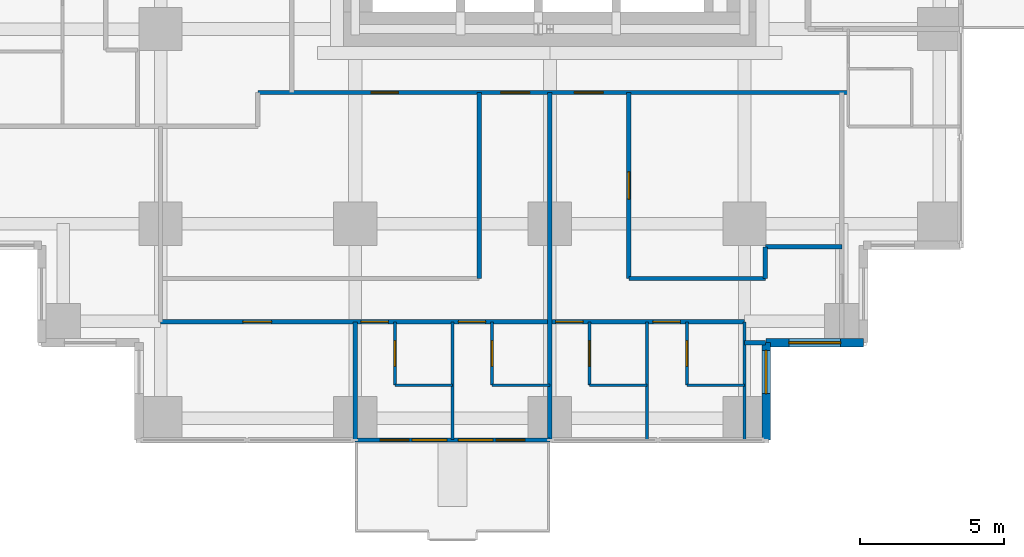
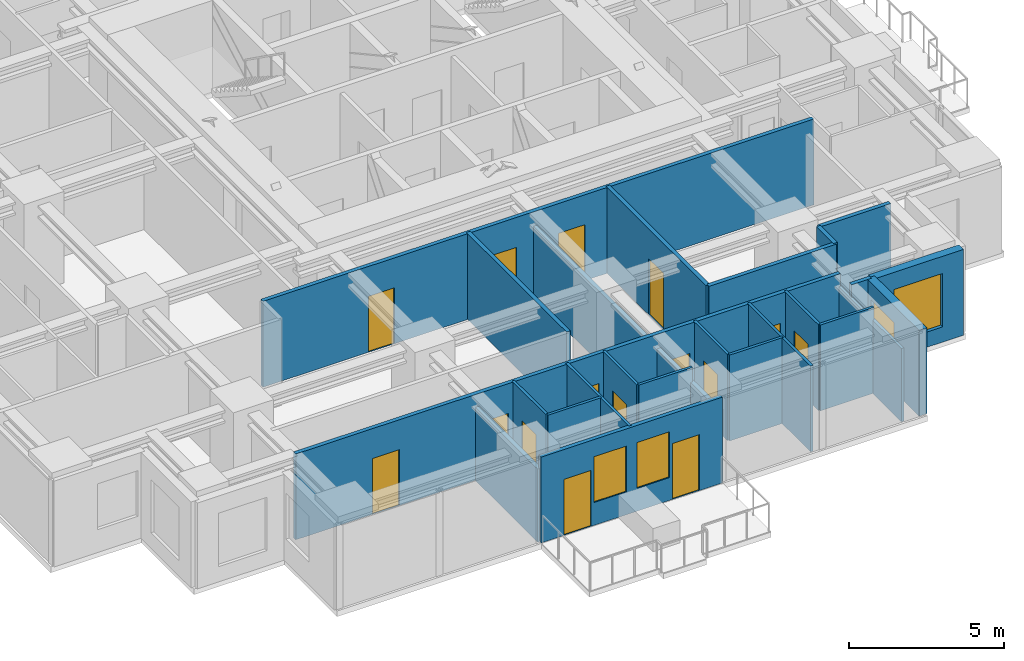
# One storey, part 5 of 10: 24 walls, 15 doors, 4 windows, 19 openings.
"""IFC4 building model written with IfcOpenShell, lengths in metres."""

from ifc_helpers import new_model, si_unit, direction, frame, frame_2d, origin, place, context, subcontext, project, spatial, rectangle, extrude, material, layer, layer_set, type_object, element, fill, save


model = new_model("IFC4")

# Units and contexts
model_context = context("Model", 3, precision=1e-05, world=origin(), true_north=direction((0.0, 1.0)))
body_context = subcontext(model_context, "Body", "Model", "MODEL_VIEW")
ifc_project = project(units=[si_unit("LENGTHUNIT", "METRE"), si_unit("AREAUNIT", "SQUARE_METRE"), si_unit("VOLUMEUNIT", "CUBIC_METRE"), si_unit("PLANEANGLEUNIT", "RADIAN"), si_unit("MASSUNIT", "GRAM", prefix="KILO")], contexts=[model_context])

# Site, building, storey
site_placement = place(None, origin())
site = spatial("IfcSite", under=ifc_project, at=site_placement, CompositionType="ELEMENT")
building_placement = place(site_placement, origin())
building = spatial("IfcBuilding", under=site, at=building_placement, Name="Nyansa Garden Tower", CompositionType="ELEMENT")
storey_placement = place(building_placement, frame((0.0, 0.0, 163.800048828125)))
storey = spatial("IfcBuildingStorey", under=building, at=storey_placement, Name="L44", CompositionType="ELEMENT", Elevation=163.800048828125)

# Wall, openings, doors, windows
ifc_material_1 = material(Name="Black aluminium framed glazed screen", Category="aluminium")
ifc_layer_1 = layer(ifc_material_1, 0.14990234375)
ifc_layer_set_1 = layer_set([ifc_layer_1], Name="Balcony screen wall BW150")
wall_type_1 = type_object("IfcWallType", Name="Balcony screen wall BW150", PredefinedType="SOLIDWALL", material=ifc_layer_set_1)
wall_1_placement = place(storey_placement, frame((20.25, -0.75, 0.0), z_axis=(0.0, 0.0, 1.0), x_axis=(-1.0, 0.0, 0.0)))
wall_1 = element("IfcWall", 1, at=wall_1_placement, inside=storey, type_object=wall_type_1, Name="Glazed screen wall L44 S", PredefinedType="SOLIDWALL", context=body_context, shape_type="SweptSolid", body=[
    extrude(rectangle(XDim=6.75, YDim=0.14990234375, at=frame_2d((3.375, 0.0))), origin(), (0.0, 0.0, 1.0), 3.375),
])
opening_1_placement = place(wall_1_placement, frame((0.862548828125, 0.0, 0.0)))
opening_1 = element("IfcOpeningElement", 2, at=opening_1_placement, cuts=wall_1, Name="Opening D20", PredefinedType="OPENING", context=body_context, shape_type="SweptSolid", body=[
    extrude(rectangle(XDim=1.0, YDim=2.199951171875, at=frame_2d((0.5, 1.10009765625))), frame((0.0, 0.0849609375, 0.0), z_axis=(0.0, -1.0, 0.0), x_axis=(1.0, 0.0, 0.0)), (0.0, 0.0, 1.0), 0.169921875),
])
opening_2_placement = place(wall_1_placement, frame((1.97509765625, 0.0, 0.89990234375)))
opening_2 = element("IfcOpeningElement", 3, at=opening_2_placement, cuts=wall_1, Name="Opening W6", PredefinedType="OPENING", context=body_context, shape_type="SweptSolid", body=[
    extrude(rectangle(XDim=1.199951171875, YDim=1.800048828125, at=frame_2d((0.60009765625, 0.89990234375))), frame((0.0, 0.0849609375, 0.0), z_axis=(0.0, -1.0, 0.0), x_axis=(1.0, 0.0, 0.0)), (0.0, 0.0, 1.0), 0.169921875),
])
opening_3_placement = place(wall_1_placement, frame((4.887451171875, 0.0, 0.0)))
opening_3 = element("IfcOpeningElement", 4, at=opening_3_placement, cuts=wall_1, Name="Opening D20", PredefinedType="OPENING", context=body_context, shape_type="SweptSolid", body=[
    extrude(rectangle(XDim=1.0, YDim=2.199951171875, at=frame_2d((0.5, 1.10009765625))), frame((0.0, 0.0849609375, 0.0), z_axis=(0.0, -1.0, 0.0), x_axis=(1.0, 0.0, 0.0)), (0.0, 0.0, 1.0), 0.169921875),
])
opening_4_placement = place(wall_1_placement, frame((3.574951171875, 0.0, 0.89990234375)))
opening_4 = element("IfcOpeningElement", 5, at=opening_4_placement, cuts=wall_1, Name="Opening W6", PredefinedType="OPENING", context=body_context, shape_type="SweptSolid", body=[
    extrude(rectangle(XDim=1.199951171875, YDim=1.800048828125, at=frame_2d((0.60009765625, 0.89990234375))), frame((0.0, 0.0849609375, 0.0), z_axis=(0.0, -1.0, 0.0), x_axis=(1.0, 0.0, 0.0)), (0.0, 0.0, 1.0), 0.169921875),
])
ifc_material_2 = material(Name="Black aluminium framed glazed door", Category="aluminium")
door_type_1 = type_object("IfcDoorType", Name="Balcony door D20 1000x2200", OperationType="NOTDEFINED", PredefinedType="DOOR", material=ifc_material_2)
door_1_placement = place(opening_1_placement, origin())
door_1 = element("IfcDoor", 6, at=door_1_placement, inside=storey, type_object=door_type_1, Name="Balcony door L44", OperationType="SINGLE_SWING_LEFT", OverallHeight=2.199951171875, OverallWidth=1.0, PredefinedType="DOOR", context=body_context, shape_type="SweptSolid", body=[
    extrude(rectangle(XDim=1.0, YDim=2.199951171875, at=frame_2d((0.5, 1.10009765625))), frame((0.0, 0.02490234375, 0.0), z_axis=(0.0, -1.0, 0.0), x_axis=(1.0, 0.0, 0.0)), (0.0, 0.0, 1.0), 0.050048828125),
])
fill(opening_1, door_1)
door_2_placement = place(opening_3_placement, origin())
door_2 = element("IfcDoor", 7, at=door_2_placement, inside=storey, type_object=door_type_1, Name="Balcony door L44", OperationType="SINGLE_SWING_RIGHT", OverallHeight=2.199951171875, OverallWidth=1.0, PredefinedType="DOOR", context=body_context, shape_type="SweptSolid", body=[
    extrude(rectangle(XDim=1.0, YDim=2.199951171875, at=frame_2d((0.5, 1.10009765625))), frame((0.0, 0.02490234375, 0.0), z_axis=(0.0, -1.0, 0.0), x_axis=(1.0, 0.0, 0.0)), (0.0, 0.0, 1.0), 0.050048828125),
])
fill(opening_3, door_2)
ifc_material_3 = material(Name="Black aluminium frame, dark tinted double glazing", Category="aluminium")
window_type_1 = type_object("IfcWindowType", Name="Balcony window W6 1200x1800", PartitioningType="SINGLE_PANEL", PredefinedType="WINDOW", material=ifc_material_3)
window_1_placement = place(opening_2_placement, origin())
window_1 = element("IfcWindow", 8, at=window_1_placement, inside=storey, type_object=window_type_1, Name="Window L44", OverallHeight=1.800048828125, OverallWidth=1.199951171875, PartitioningType="SINGLE_PANEL", PredefinedType="WINDOW", context=body_context, shape_type="SweptSolid", body=[
    extrude(rectangle(XDim=1.199951171875, YDim=1.800048828125, at=frame_2d((0.60009765625, 0.89990234375))), frame((0.0, 0.030029296875, 0.0), z_axis=(0.0, -1.0, 0.0), x_axis=(1.0, 0.0, 0.0)), (0.0, 0.0, 1.0), 0.06005859375),
])
fill(opening_2, window_1)
window_2_placement = place(opening_4_placement, origin())
window_2 = element("IfcWindow", 9, at=window_2_placement, inside=storey, type_object=window_type_1, Name="Window L44", OverallHeight=1.800048828125, OverallWidth=1.199951171875, PartitioningType="SINGLE_PANEL", PredefinedType="WINDOW", context=body_context, shape_type="SweptSolid", body=[
    extrude(rectangle(XDim=1.199951171875, YDim=1.800048828125, at=frame_2d((0.60009765625, 0.89990234375))), frame((0.0, 0.030029296875, 0.0), z_axis=(0.0, -1.0, 0.0), x_axis=(1.0, 0.0, 0.0)), (0.0, 0.0, 1.0), 0.06005859375),
])
fill(opening_4, window_2)

# Wall, openings, doors
ifc_material_4 = material(Name="Blockwork, plastered both sides", Category="masonry")
ifc_layer_2 = layer(ifc_material_4, 0.14990234375)
ifc_layer_set_2 = layer_set([ifc_layer_2], Name="Partition PW150")
wall_type_2 = type_object("IfcWallType", Name="Partition PW150", PredefinedType="PARTITIONING", material=ifc_layer_set_2)
wall_2_placement = place(storey_placement, frame((6.75, 3.35009765625, 0.0), z_axis=(0.0, 0.0, 1.0), x_axis=(1.0, 0.0, 0.0)))
wall_2 = element("IfcWall", 10, at=wall_2_placement, inside=storey, type_object=wall_type_2, Name="Partition", PredefinedType="PARTITIONING", context=body_context, shape_type="SweptSolid", body=[
    extrude(rectangle(XDim=20.25, YDim=0.14990234375, at=frame_2d((10.125, 0.0))), origin(), (0.0, 0.0, 1.0), 3.375),
])
opening_5_placement = place(wall_2_placement, frame((2.85009765625, 0.0, 0.0)))
opening_5 = element("IfcOpeningElement", 11, at=opening_5_placement, cuts=wall_2, Name="Opening D03", PredefinedType="OPENING", context=body_context, shape_type="SweptSolid", body=[
    extrude(rectangle(XDim=1.0, YDim=2.199951171875, at=frame_2d((0.5, 1.10009765625))), frame((0.0, 0.0849609375, 0.0), z_axis=(0.0, -1.0, 0.0), x_axis=(1.0, 0.0, 0.0)), (0.0, 0.0, 1.0), 0.169921875),
])
opening_6_placement = place(wall_2_placement, frame((6.949951171875, 0.0, 0.0)))
opening_6 = element("IfcOpeningElement", 12, at=opening_6_placement, cuts=wall_2, Name="Opening D01", PredefinedType="OPENING", context=body_context, shape_type="SweptSolid", body=[
    extrude(rectangle(XDim=0.949951171875, YDim=2.199951171875, at=frame_2d((0.47509765625, 1.10009765625))), frame((0.0, 0.0849609375, 0.0), z_axis=(0.0, -1.0, 0.0), x_axis=(1.0, 0.0, 0.0)), (0.0, 0.0, 1.0), 0.169921875),
])
opening_7_placement = place(wall_2_placement, frame((10.324951171875, 0.0, 0.0)))
opening_7 = element("IfcOpeningElement", 13, at=opening_7_placement, cuts=wall_2, Name="Opening D01", PredefinedType="OPENING", context=body_context, shape_type="SweptSolid", body=[
    extrude(rectangle(XDim=0.949951171875, YDim=2.199951171875, at=frame_2d((0.47509765625, 1.10009765625))), frame((0.0, 0.0849609375, 0.0), z_axis=(0.0, -1.0, 0.0), x_axis=(1.0, 0.0, 0.0)), (0.0, 0.0, 1.0), 0.169921875),
])
opening_8_placement = place(wall_2_placement, frame((13.699951171875, 0.0, 0.0)))
opening_8 = element("IfcOpeningElement", 14, at=opening_8_placement, cuts=wall_2, Name="Opening D14", PredefinedType="OPENING", context=body_context, shape_type="SweptSolid", body=[
    extrude(rectangle(XDim=0.949951171875, YDim=2.199951171875, at=frame_2d((0.47509765625, 1.10009765625))), frame((0.0, 0.0849609375, 0.0), z_axis=(0.0, -1.0, 0.0), x_axis=(1.0, 0.0, 0.0)), (0.0, 0.0, 1.0), 0.169921875),
])
opening_9_placement = place(wall_2_placement, frame((17.074951171875, 0.0, 0.0)))
opening_9 = element("IfcOpeningElement", 15, at=opening_9_placement, cuts=wall_2, Name="Opening D14", PredefinedType="OPENING", context=body_context, shape_type="SweptSolid", body=[
    extrude(rectangle(XDim=0.949951171875, YDim=2.199951171875, at=frame_2d((0.47509765625, 1.10009765625))), frame((0.0, 0.0849609375, 0.0), z_axis=(0.0, -1.0, 0.0), x_axis=(1.0, 0.0, 0.0)), (0.0, 0.0, 1.0), 0.169921875),
])
ifc_material_5 = material(Name="Timber flush door, 30 minute fire resisting", Category="wood")
door_type_2 = type_object("IfcDoorType", Name="Bedroom door D01 950x2200", OperationType="SINGLE_SWING_LEFT", PredefinedType="DOOR", material=ifc_material_5)
door_3_placement = place(opening_6_placement, origin())
door_3 = element("IfcDoor", 16, at=door_3_placement, inside=storey, type_object=door_type_2, Name="Door L44-018", OperationType="SINGLE_SWING_LEFT", OverallHeight=2.199951171875, OverallWidth=0.949951171875, PredefinedType="DOOR", context=body_context, shape_type="SweptSolid", body=[
    extrude(rectangle(XDim=0.949951171875, YDim=2.199951171875, at=frame_2d((0.47509765625, 1.10009765625))), frame((0.0, 0.02490234375, 0.0), z_axis=(0.0, -1.0, 0.0), x_axis=(1.0, 0.0, 0.0)), (0.0, 0.0, 1.0), 0.050048828125),
])
fill(opening_6, door_3)
door_4_placement = place(opening_7_placement, origin())
door_4 = element("IfcDoor", 17, at=door_4_placement, inside=storey, type_object=door_type_2, Name="Door L44-020", OperationType="SINGLE_SWING_LEFT", OverallHeight=2.199951171875, OverallWidth=0.949951171875, PredefinedType="DOOR", context=body_context, shape_type="SweptSolid", body=[
    extrude(rectangle(XDim=0.949951171875, YDim=2.199951171875, at=frame_2d((0.47509765625, 1.10009765625))), frame((0.0, 0.02490234375, 0.0), z_axis=(0.0, -1.0, 0.0), x_axis=(1.0, 0.0, 0.0)), (0.0, 0.0, 1.0), 0.050048828125),
])
fill(opening_7, door_4)
ifc_material_6 = material(Name="Timber flush door, 60 minute fire resisting", Category="wood")
door_type_3 = type_object("IfcDoorType", Name="Cluster entrance door D03 1000x2200", OperationType="SINGLE_SWING_LEFT", PredefinedType="DOOR", material=ifc_material_6)
door_5_placement = place(opening_5_placement, origin())
door_5 = element("IfcDoor", 18, at=door_5_placement, inside=storey, type_object=door_type_3, Name="Door L44-017", OperationType="SINGLE_SWING_LEFT", OverallHeight=2.199951171875, OverallWidth=1.0, PredefinedType="DOOR", context=body_context, shape_type="SweptSolid", body=[
    extrude(rectangle(XDim=1.0, YDim=2.199951171875, at=frame_2d((0.5, 1.10009765625))), frame((0.0, 0.02490234375, 0.0), z_axis=(0.0, -1.0, 0.0), x_axis=(1.0, 0.0, 0.0)), (0.0, 0.0, 1.0), 0.050048828125),
])
fill(opening_5, door_5)
ifc_material_7 = material(Name="Timber flush door, 60 minute fire resisting, self-closing", Category="wood")
door_type_4 = type_object("IfcDoorType", Name="Studio entrance door D14 950x2200", OperationType="SINGLE_SWING_LEFT", PredefinedType="DOOR", material=ifc_material_7)
door_6_placement = place(opening_8_placement, origin())
door_6 = element("IfcDoor", 19, at=door_6_placement, inside=storey, type_object=door_type_4, Name="Door L44-023", OperationType="SINGLE_SWING_LEFT", OverallHeight=2.199951171875, OverallWidth=0.949951171875, PredefinedType="DOOR", context=body_context, shape_type="SweptSolid", body=[
    extrude(rectangle(XDim=0.949951171875, YDim=2.199951171875, at=frame_2d((0.47509765625, 1.10009765625))), frame((0.0, 0.02490234375, 0.0), z_axis=(0.0, -1.0, 0.0), x_axis=(1.0, 0.0, 0.0)), (0.0, 0.0, 1.0), 0.050048828125),
])
fill(opening_8, door_6)
door_7_placement = place(opening_9_placement, origin())
door_7 = element("IfcDoor", 20, at=door_7_placement, inside=storey, type_object=door_type_4, Name="Door L44-025", OperationType="SINGLE_SWING_LEFT", OverallHeight=2.199951171875, OverallWidth=0.949951171875, PredefinedType="DOOR", context=body_context, shape_type="SweptSolid", body=[
    extrude(rectangle(XDim=0.949951171875, YDim=2.199951171875, at=frame_2d((0.47509765625, 1.10009765625))), frame((0.0, 0.02490234375, 0.0), z_axis=(0.0, -1.0, 0.0), x_axis=(1.0, 0.0, 0.0)), (0.0, 0.0, 1.0), 0.050048828125),
])
fill(opening_9, door_7)

wall_3_placement = place(storey_placement, frame((10.125, 11.300048828125, 0.0), z_axis=(0.0, 0.0, 1.0), x_axis=(1.0, 0.0, 0.0)))
wall_3 = element("IfcWall", 21, at=wall_3_placement, inside=storey, type_object=wall_type_2, Name="Partition", PredefinedType="PARTITIONING", context=body_context, shape_type="SweptSolid", body=[
    extrude(rectangle(XDim=20.47509765625, YDim=0.14990234375, at=frame_2d((10.237548828125, 0.0))), origin(), (0.0, 0.0, 1.0), 3.375),
])
opening_10_placement = place(wall_3_placement, frame((8.425048828125, 0.0, 0.0)))
opening_10 = element("IfcOpeningElement", 22, at=opening_10_placement, cuts=wall_3, Name="Opening D03", PredefinedType="OPENING", context=body_context, shape_type="SweptSolid", body=[
    extrude(rectangle(XDim=1.0, YDim=2.199951171875, at=frame_2d((0.5, 1.10009765625))), frame((0.0, 0.0849609375, 0.0), z_axis=(0.0, -1.0, 0.0), x_axis=(1.0, 0.0, 0.0)), (0.0, 0.0, 1.0), 0.169921875),
])
opening_11_placement = place(wall_3_placement, frame((10.97509765625, 0.0, 0.0)))
opening_11 = element("IfcOpeningElement", 23, at=opening_11_placement, cuts=wall_3, Name="Opening D03", PredefinedType="OPENING", context=body_context, shape_type="SweptSolid", body=[
    extrude(rectangle(XDim=1.0, YDim=2.199951171875, at=frame_2d((0.5, 1.10009765625))), frame((0.0, 0.0849609375, 0.0), z_axis=(0.0, -1.0, 0.0), x_axis=(1.0, 0.0, 0.0)), (0.0, 0.0, 1.0), 0.169921875),
])
opening_12_placement = place(wall_3_placement, frame((3.925048828125, 0.0, 0.0)))
opening_12 = element("IfcOpeningElement", 24, at=opening_12_placement, cuts=wall_3, Name="Opening D01", PredefinedType="OPENING", context=body_context, shape_type="SweptSolid", body=[
    extrude(rectangle(XDim=0.949951171875, YDim=2.199951171875, at=frame_2d((0.47509765625, 1.10009765625))), frame((0.0, 0.0849609375, 0.0), z_axis=(0.0, -1.0, 0.0), x_axis=(1.0, 0.0, 0.0)), (0.0, 0.0, 1.0), 0.169921875),
])
door_8_placement = place(opening_12_placement, origin())
door_8 = element("IfcDoor", 25, at=door_8_placement, inside=storey, type_object=door_type_2, Name="Door L44-028", OperationType="SINGLE_SWING_LEFT", OverallHeight=2.199951171875, OverallWidth=0.949951171875, PredefinedType="DOOR", context=body_context, shape_type="SweptSolid", body=[
    extrude(rectangle(XDim=0.949951171875, YDim=2.199951171875, at=frame_2d((0.47509765625, 1.10009765625))), frame((0.0, 0.02490234375, 0.0), z_axis=(0.0, -1.0, 0.0), x_axis=(1.0, 0.0, 0.0)), (0.0, 0.0, 1.0), 0.050048828125),
])
fill(opening_12, door_8)
door_9_placement = place(opening_10_placement, origin())
door_9 = element("IfcDoor", 26, at=door_9_placement, inside=storey, type_object=door_type_3, Name="Door L44-022", OperationType="SINGLE_SWING_LEFT", OverallHeight=2.199951171875, OverallWidth=1.0, PredefinedType="DOOR", context=body_context, shape_type="SweptSolid", body=[
    extrude(rectangle(XDim=1.0, YDim=2.199951171875, at=frame_2d((0.5, 1.10009765625))), frame((0.0, 0.02490234375, 0.0), z_axis=(0.0, -1.0, 0.0), x_axis=(1.0, 0.0, 0.0)), (0.0, 0.0, 1.0), 0.050048828125),
])
fill(opening_10, door_9)
door_10_placement = place(opening_11_placement, origin())
door_10 = element("IfcDoor", 27, at=door_10_placement, inside=storey, type_object=door_type_3, Name="Door L44-027", OperationType="SINGLE_SWING_LEFT", OverallHeight=2.199951171875, OverallWidth=1.0, PredefinedType="DOOR", context=body_context, shape_type="SweptSolid", body=[
    extrude(rectangle(XDim=1.0, YDim=2.199951171875, at=frame_2d((0.5, 1.10009765625))), frame((0.0, 0.02490234375, 0.0), z_axis=(0.0, -1.0, 0.0), x_axis=(1.0, 0.0, 0.0)), (0.0, 0.0, 1.0), 0.050048828125),
])
fill(opening_11, door_10)

# Walls
wall_4_placement = place(storey_placement, frame((13.5, -0.73388671875, 0.0), z_axis=(0.0, 0.0, 1.0), x_axis=(0.0, 1.0, 0.0)))
element("IfcWall", 28, at=wall_4_placement, inside=storey, type_object=wall_type_2, Name="Partition", PredefinedType="PARTITIONING", context=body_context, shape_type="SweptSolid", body=[
    extrude(rectangle(XDim=4.083984375, YDim=0.14990234375, at=frame_2d((2.0419921875, 0.0))), origin(), (0.0, 0.0, 1.0), 2.876953125),
])
wall_5_placement = place(storey_placement, frame((17.800048828125, 4.85009765625, 0.0), z_axis=(0.0, 0.0, 1.0), x_axis=(0.0, 1.0, 0.0)))
element("IfcWall", 29, at=wall_5_placement, inside=storey, type_object=wall_type_2, Name="Partition", PredefinedType="PARTITIONING", context=body_context, shape_type="SweptSolid", body=[
    extrude(rectangle(XDim=6.449951171875, YDim=0.14990234375, at=frame_2d((3.22509765625, 0.0))), origin(), (0.0, 0.0, 1.0), 3.375),
])
wall_6_placement = place(storey_placement, frame((20.25, -0.73388671875, 0.0), z_axis=(0.0, 0.0, 1.0), x_axis=(0.0, 1.0, 0.0)))
element("IfcWall", 30, at=wall_6_placement, inside=storey, type_object=wall_type_2, Name="Partition", PredefinedType="PARTITIONING", context=body_context, shape_type="SweptSolid", body=[
    extrude(rectangle(XDim=12.033935546875, YDim=0.14990234375, at=frame_2d((6.01708984375, 0.0))), origin(), (0.0, 0.0, 1.0), 2.805908203125),
])
wall_7_placement = place(storey_placement, frame((22.987548828125, 4.85009765625, 0.0), z_axis=(0.0, 0.0, 1.0), x_axis=(1.0, 0.0, 0.0)))
element("IfcWall", 31, at=wall_7_placement, inside=storey, type_object=wall_type_2, Name="Partition", PredefinedType="PARTITIONING", context=body_context, shape_type="SweptSolid", body=[
    extrude(rectangle(XDim=4.737548828125, YDim=0.14990234375, at=frame_2d((2.36865234375, 0.0))), origin(), (0.0, 0.0, 1.0), 3.375),
])

# Wall, opening, door
wall_8_placement = place(storey_placement, frame((22.988037109375, 4.85009765625, 0.0), z_axis=(0.0, 0.0, 1.0), x_axis=(0.0, 1.0, 0.0)))
wall_8 = element("IfcWall", 32, at=wall_8_placement, inside=storey, type_object=wall_type_2, Name="Partition", PredefinedType="PARTITIONING", context=body_context, shape_type="SweptSolid", body=[
    extrude(rectangle(XDim=6.449951171875, YDim=0.14990234375, at=frame_2d((3.22509765625, 0.0))), origin(), (0.0, 0.0, 1.0), 3.375),
])
opening_13_placement = place(wall_8_placement, frame((2.75, 0.0, 0.0)))
opening_13 = element("IfcOpeningElement", 33, at=opening_13_placement, cuts=wall_8, Name="Opening D01", PredefinedType="OPENING", context=body_context, shape_type="SweptSolid", body=[
    extrude(rectangle(XDim=0.949951171875, YDim=2.199951171875, at=frame_2d((0.47509765625, 1.10009765625))), frame((0.0, 0.0849609375, 0.0), z_axis=(0.0, -1.0, 0.0), x_axis=(1.0, 0.0, 0.0)), (0.0, 0.0, 1.0), 0.169921875),
])
door_11_placement = place(opening_13_placement, origin())
door_11 = element("IfcDoor", 34, at=door_11_placement, inside=storey, type_object=door_type_2, Name="Door L44-029", OperationType="SINGLE_SWING_LEFT", OverallHeight=2.199951171875, OverallWidth=0.949951171875, PredefinedType="DOOR", context=body_context, shape_type="SweptSolid", body=[
    extrude(rectangle(XDim=0.949951171875, YDim=2.199951171875, at=frame_2d((0.47509765625, 1.10009765625))), frame((0.0, 0.02490234375, 0.0), z_axis=(0.0, -1.0, 0.0), x_axis=(1.0, 0.0, 0.0)), (0.0, 0.0, 1.0), 0.050048828125),
])
fill(opening_13, door_11)

# Walls
wall_9_placement = place(storey_placement, frame((27.0, 2.625, 0.0), z_axis=(0.0, 0.0, 1.0), x_axis=(1.0, 0.0, 0.0)))
element("IfcWall", 35, at=wall_9_placement, inside=storey, type_object=wall_type_2, Name="Partition", PredefinedType="PARTITIONING", context=body_context, shape_type="SweptSolid", body=[
    extrude(rectangle(XDim=0.73388671875, YDim=0.14990234375, at=frame_2d((0.366943359375, 0.0))), origin(), (0.0, 0.0, 1.0), 3.375),
])
wall_10_placement = place(storey_placement, frame((27.72509765625, 4.85009765625, 0.0), z_axis=(0.0, 0.0, 1.0), x_axis=(0.0, 1.0, 0.0)))
element("IfcWall", 36, at=wall_10_placement, inside=storey, type_object=wall_type_2, Name="Partition", PredefinedType="PARTITIONING", context=body_context, shape_type="SweptSolid", body=[
    extrude(rectangle(XDim=1.099853515625, YDim=0.14990234375, at=frame_2d((0.5498046875, 0.0))), origin(), (0.0, 0.0, 1.0), 3.375),
])
wall_11_placement = place(storey_placement, frame((27.72509765625, 5.949951171875, 0.0), z_axis=(0.0, 0.0, 1.0), x_axis=(1.0, 0.0, 0.0)))
element("IfcWall", 37, at=wall_11_placement, inside=storey, type_object=wall_type_2, Name="Partition", PredefinedType="PARTITIONING", context=body_context, shape_type="SweptSolid", body=[
    extrude(rectangle(XDim=2.64990234375, YDim=0.14990234375, at=frame_2d((1.324951171875, 0.0))), origin(), (0.0, 0.0, 1.0), 3.375),
])

# Wall, opening, window
ifc_material_8 = material(Name="Turquoise glazed tile on concrete blockwork", Category="masonry")
ifc_layer_3 = layer(ifc_material_8, 0.300048828125)
ifc_layer_set_3 = layer_set([ifc_layer_3], Name="Tiled corner wall TW300")
wall_type_3 = type_object("IfcWallType", Name="Tiled corner wall TW300", PredefinedType="SOLIDWALL", material=ifc_layer_set_3)
wall_12_placement = place(storey_placement, frame((27.75, -0.75, 0.0), z_axis=(0.0, 0.0, 1.0), x_axis=(0.0, 1.0, 0.0)))
wall_12 = element("IfcWall", 38, at=wall_12_placement, inside=storey, type_object=wall_type_3, Name="Tiled corner wall L44", PredefinedType="SOLIDWALL", context=body_context, shape_type="SweptSolid", body=[
    extrude(rectangle(XDim=3.375, YDim=0.300048828125, at=frame_2d((1.6875, 0.0))), origin(), (0.0, 0.0, 1.0), 3.375),
])
opening_14_placement = place(wall_12_placement, frame((1.607421875, 0.0, 0.89990234375)))
opening_14 = element("IfcOpeningElement", 39, at=opening_14_placement, cuts=wall_12, Name="Opening W1", PredefinedType="OPENING", context=body_context, shape_type="SweptSolid", body=[
    extrude(rectangle(XDim=1.5, YDim=1.800048828125, at=frame_2d((0.75, 0.89990234375))), frame((0.0, 0.159912109375, 0.0), z_axis=(0.0, -1.0, 0.0), x_axis=(1.0, 0.0, 0.0)), (0.0, 0.0, 1.0), 0.320068359375),
])
ifc_material_9 = material(Name="Black aluminium frame, dark tinted double glazing", Category="aluminium")
window_type_2 = type_object("IfcWindowType", Name="Window W1 1500x1800", PartitioningType="SINGLE_PANEL", PredefinedType="WINDOW", material=ifc_material_9)
window_3_placement = place(opening_14_placement, origin())
window_3 = element("IfcWindow", 40, at=window_3_placement, inside=storey, type_object=window_type_2, Name="Corner window L44", OverallHeight=1.800048828125, OverallWidth=1.5, PartitioningType="SINGLE_PANEL", PredefinedType="WINDOW", context=body_context, shape_type="SweptSolid", body=[
    extrude(rectangle(XDim=1.5, YDim=1.800048828125, at=frame_2d((0.75, 0.89990234375))), frame((0.0, 0.030029296875, 0.0), z_axis=(0.0, -1.0, 0.0), x_axis=(1.0, 0.0, 0.0)), (0.0, 0.0, 1.0), 0.06005859375),
])
fill(opening_14, window_3)

wall_13_placement = place(storey_placement, frame((27.75, 2.625, 0.0), z_axis=(0.0, 0.0, 1.0), x_axis=(1.0, 0.0, 0.0)))
wall_13 = element("IfcWall", 41, at=wall_13_placement, inside=storey, type_object=wall_type_3, Name="Tiled corner wall L44", PredefinedType="SOLIDWALL", context=body_context, shape_type="SweptSolid", body=[
    extrude(rectangle(XDim=3.375, YDim=0.300048828125, at=frame_2d((1.6875, 0.0))), origin(), (0.0, 0.0, 1.0), 3.375),
])
opening_15_placement = place(wall_13_placement, frame((0.78759765625, 0.0, 0.60009765625)))
opening_15 = element("IfcOpeningElement", 42, at=opening_15_placement, cuts=wall_13, Name="Opening W2", PredefinedType="OPENING", context=body_context, shape_type="SweptSolid", body=[
    extrude(rectangle(XDim=1.800048828125, YDim=2.10009765625, at=frame_2d((0.89990234375, 1.050048828125))), frame((0.0, 0.159912109375, 0.0), z_axis=(0.0, -1.0, 0.0), x_axis=(1.0, 0.0, 0.0)), (0.0, 0.0, 1.0), 0.320068359375),
])
ifc_material_10 = material(Name="Black aluminium frame, dark tinted double glazing", Category="aluminium")
window_type_3 = type_object("IfcWindowType", Name="Window W2 1800x2100", PartitioningType="SINGLE_PANEL", PredefinedType="WINDOW", material=ifc_material_10)
window_4_placement = place(opening_15_placement, origin())
window_4 = element("IfcWindow", 43, at=window_4_placement, inside=storey, type_object=window_type_3, Name="Corner window L44", OverallHeight=2.10009765625, OverallWidth=1.800048828125, PartitioningType="SINGLE_PANEL", PredefinedType="WINDOW", context=body_context, shape_type="SweptSolid", body=[
    extrude(rectangle(XDim=1.800048828125, YDim=2.10009765625, at=frame_2d((0.89990234375, 1.050048828125))), frame((0.0, 0.030029296875, 0.0), z_axis=(0.0, -1.0, 0.0), x_axis=(1.0, 0.0, 0.0)), (0.0, 0.0, 1.0), 0.06005859375),
])
fill(opening_15, window_4)

# Wall, opening, door
ifc_material_11 = material(Name="Moisture resistant board on steel studs, tiled", Category="steel")
ifc_layer_4 = layer(ifc_material_11, 0.10009765625)
ifc_layer_set_4 = layer_set([ifc_layer_4], Name="Wet wall PW100")
wall_type_4 = type_object("IfcWallType", Name="Wet wall PW100", PredefinedType="PARTITIONING", material=ifc_layer_set_4)
wall_14_placement = place(storey_placement, frame((14.875, 1.14990234375, 0.0), z_axis=(0.0, 0.0, 1.0), x_axis=(0.0, 1.0, 0.0)))
wall_14 = element("IfcWall", 44, at=wall_14_placement, inside=storey, type_object=wall_type_4, Name="Wet wall", PredefinedType="PARTITIONING", context=body_context, shape_type="SweptSolid", body=[
    extrude(rectangle(XDim=2.2001953125, YDim=0.10009765625, at=frame_2d((1.10009765625, 0.0))), origin(), (0.0, 0.0, 1.0), 3.375),
])
opening_16_placement = place(wall_14_placement, frame((0.64990234375, 0.0, 0.0)))
opening_16 = element("IfcOpeningElement", 45, at=opening_16_placement, cuts=wall_14, Name="Opening D02", PredefinedType="OPENING", context=body_context, shape_type="SweptSolid", body=[
    extrude(rectangle(XDim=0.89990234375, YDim=2.199951171875, at=frame_2d((0.449951171875, 1.10009765625))), frame((0.0, 0.06005859375, 0.0), z_axis=(0.0, -1.0, 0.0), x_axis=(1.0, 0.0, 0.0)), (0.0, 0.0, 1.0), 0.1201171875),
])
ifc_material_12 = material(Name="Timber flush door", Category="wood")
door_type_5 = type_object("IfcDoorType", Name="En-suite door D02 900x2200", OperationType="SINGLE_SWING_RIGHT", PredefinedType="DOOR", material=ifc_material_12)
door_12_placement = place(opening_16_placement, origin())
door_12 = element("IfcDoor", 46, at=door_12_placement, inside=storey, type_object=door_type_5, Name="Door L44-019", OperationType="SINGLE_SWING_RIGHT", OverallHeight=2.199951171875, OverallWidth=0.89990234375, PredefinedType="DOOR", context=body_context, shape_type="SweptSolid", body=[
    extrude(rectangle(XDim=0.89990234375, YDim=2.199951171875, at=frame_2d((0.449951171875, 1.10009765625))), frame((0.0, 0.02490234375, 0.0), z_axis=(0.0, -1.0, 0.0), x_axis=(1.0, 0.0, 0.0)), (0.0, 0.0, 1.0), 0.050048828125),
])
fill(opening_16, door_12)

# Walls
wall_15_placement = place(storey_placement, frame((14.875, 1.14990234375, 0.0), z_axis=(0.0, 0.0, 1.0), x_axis=(1.0, 0.0, 0.0)))
element("IfcWall", 47, at=wall_15_placement, inside=storey, type_object=wall_type_4, Name="Wet wall", PredefinedType="PARTITIONING", context=body_context, shape_type="SweptSolid", body=[
    extrude(rectangle(XDim=2.0, YDim=0.10009765625, at=frame_2d((1.0, 0.0))), origin(), (0.0, 0.0, 1.0), 3.375),
])
wall_16_placement = place(storey_placement, frame((16.875, -0.73388671875, 0.0), z_axis=(0.0, 0.0, 1.0), x_axis=(0.0, 1.0, 0.0)))
element("IfcWall", 48, at=wall_16_placement, inside=storey, type_object=wall_type_4, Name="Wet wall", PredefinedType="PARTITIONING", context=body_context, shape_type="SweptSolid", body=[
    extrude(rectangle(XDim=4.083984375, YDim=0.10009765625, at=frame_2d((2.0419921875, 0.0))), origin(), (0.0, 0.0, 1.0), 3.375),
])

# Wall, opening, door
wall_17_placement = place(storey_placement, frame((18.25, 1.14990234375, 0.0), z_axis=(0.0, 0.0, 1.0), x_axis=(0.0, 1.0, 0.0)))
wall_17 = element("IfcWall", 49, at=wall_17_placement, inside=storey, type_object=wall_type_4, Name="Wet wall", PredefinedType="PARTITIONING", context=body_context, shape_type="SweptSolid", body=[
    extrude(rectangle(XDim=2.2001953125, YDim=0.10009765625, at=frame_2d((1.10009765625, 0.0))), origin(), (0.0, 0.0, 1.0), 3.375),
])
opening_17_placement = place(wall_17_placement, frame((0.64990234375, 0.0, 0.0)))
opening_17 = element("IfcOpeningElement", 50, at=opening_17_placement, cuts=wall_17, Name="Opening D02", PredefinedType="OPENING", context=body_context, shape_type="SweptSolid", body=[
    extrude(rectangle(XDim=0.89990234375, YDim=2.199951171875, at=frame_2d((0.449951171875, 1.10009765625))), frame((0.0, 0.06005859375, 0.0), z_axis=(0.0, -1.0, 0.0), x_axis=(1.0, 0.0, 0.0)), (0.0, 0.0, 1.0), 0.1201171875),
])
door_13_placement = place(opening_17_placement, origin())
door_13 = element("IfcDoor", 51, at=door_13_placement, inside=storey, type_object=door_type_5, Name="Door L44-021", OperationType="SINGLE_SWING_RIGHT", OverallHeight=2.199951171875, OverallWidth=0.89990234375, PredefinedType="DOOR", context=body_context, shape_type="SweptSolid", body=[
    extrude(rectangle(XDim=0.89990234375, YDim=2.199951171875, at=frame_2d((0.449951171875, 1.10009765625))), frame((0.0, 0.02490234375, 0.0), z_axis=(0.0, -1.0, 0.0), x_axis=(1.0, 0.0, 0.0)), (0.0, 0.0, 1.0), 0.050048828125),
])
fill(opening_17, door_13)

# Wall
wall_18_placement = place(storey_placement, frame((18.25, 1.14990234375, 0.0), z_axis=(0.0, 0.0, 1.0), x_axis=(1.0, 0.0, 0.0)))
element("IfcWall", 52, at=wall_18_placement, inside=storey, type_object=wall_type_4, Name="Wet wall", PredefinedType="PARTITIONING", context=body_context, shape_type="SweptSolid", body=[
    extrude(rectangle(XDim=2.0, YDim=0.10009765625, at=frame_2d((1.0, 0.0))), origin(), (0.0, 0.0, 1.0), 3.375),
])

# Wall, opening, door
wall_19_placement = place(storey_placement, frame((21.625, 1.14990234375, 0.0), z_axis=(0.0, 0.0, 1.0), x_axis=(0.0, 1.0, 0.0)))
wall_19 = element("IfcWall", 53, at=wall_19_placement, inside=storey, type_object=wall_type_4, Name="Wet wall", PredefinedType="PARTITIONING", context=body_context, shape_type="SweptSolid", body=[
    extrude(rectangle(XDim=2.2001953125, YDim=0.10009765625, at=frame_2d((1.10009765625, 0.0))), origin(), (0.0, 0.0, 1.0), 3.375),
])
opening_18_placement = place(wall_19_placement, frame((0.64990234375, 0.0, 0.0)))
opening_18 = element("IfcOpeningElement", 54, at=opening_18_placement, cuts=wall_19, Name="Opening D02", PredefinedType="OPENING", context=body_context, shape_type="SweptSolid", body=[
    extrude(rectangle(XDim=0.89990234375, YDim=2.199951171875, at=frame_2d((0.449951171875, 1.10009765625))), frame((0.0, 0.06005859375, 0.0), z_axis=(0.0, -1.0, 0.0), x_axis=(1.0, 0.0, 0.0)), (0.0, 0.0, 1.0), 0.1201171875),
])
door_14_placement = place(opening_18_placement, origin())
door_14 = element("IfcDoor", 55, at=door_14_placement, inside=storey, type_object=door_type_5, Name="Door L44-024", OperationType="SINGLE_SWING_RIGHT", OverallHeight=2.199951171875, OverallWidth=0.89990234375, PredefinedType="DOOR", context=body_context, shape_type="SweptSolid", body=[
    extrude(rectangle(XDim=0.89990234375, YDim=2.199951171875, at=frame_2d((0.449951171875, 1.10009765625))), frame((0.0, 0.02490234375, 0.0), z_axis=(0.0, -1.0, 0.0), x_axis=(1.0, 0.0, 0.0)), (0.0, 0.0, 1.0), 0.050048828125),
])
fill(opening_18, door_14)

# Walls
wall_20_placement = place(storey_placement, frame((21.625, 1.14990234375, 0.0), z_axis=(0.0, 0.0, 1.0), x_axis=(1.0, 0.0, 0.0)))
element("IfcWall", 56, at=wall_20_placement, inside=storey, type_object=wall_type_4, Name="Wet wall", PredefinedType="PARTITIONING", context=body_context, shape_type="SweptSolid", body=[
    extrude(rectangle(XDim=2.0, YDim=0.10009765625, at=frame_2d((1.0, 0.0))), origin(), (0.0, 0.0, 1.0), 3.375),
])
wall_21_placement = place(storey_placement, frame((23.625, -0.73388671875, 0.0), z_axis=(0.0, 0.0, 1.0), x_axis=(0.0, 1.0, 0.0)))
element("IfcWall", 57, at=wall_21_placement, inside=storey, type_object=wall_type_4, Name="Wet wall", PredefinedType="PARTITIONING", context=body_context, shape_type="SweptSolid", body=[
    extrude(rectangle(XDim=4.083984375, YDim=0.10009765625, at=frame_2d((2.0419921875, 0.0))), origin(), (0.0, 0.0, 1.0), 3.375),
])

# Wall, opening, door
wall_22_placement = place(storey_placement, frame((25.0, 1.14990234375, 0.0), z_axis=(0.0, 0.0, 1.0), x_axis=(0.0, 1.0, 0.0)))
wall_22 = element("IfcWall", 58, at=wall_22_placement, inside=storey, type_object=wall_type_4, Name="Wet wall", PredefinedType="PARTITIONING", context=body_context, shape_type="SweptSolid", body=[
    extrude(rectangle(XDim=2.2001953125, YDim=0.10009765625, at=frame_2d((1.10009765625, 0.0))), origin(), (0.0, 0.0, 1.0), 3.375),
])
opening_19_placement = place(wall_22_placement, frame((0.64990234375, 0.0, 0.0)))
opening_19 = element("IfcOpeningElement", 59, at=opening_19_placement, cuts=wall_22, Name="Opening D02", PredefinedType="OPENING", context=body_context, shape_type="SweptSolid", body=[
    extrude(rectangle(XDim=0.89990234375, YDim=2.199951171875, at=frame_2d((0.449951171875, 1.10009765625))), frame((0.0, 0.06005859375, 0.0), z_axis=(0.0, -1.0, 0.0), x_axis=(1.0, 0.0, 0.0)), (0.0, 0.0, 1.0), 0.1201171875),
])
door_15_placement = place(opening_19_placement, origin())
door_15 = element("IfcDoor", 60, at=door_15_placement, inside=storey, type_object=door_type_5, Name="Door L44-026", OperationType="SINGLE_SWING_RIGHT", OverallHeight=2.199951171875, OverallWidth=0.89990234375, PredefinedType="DOOR", context=body_context, shape_type="SweptSolid", body=[
    extrude(rectangle(XDim=0.89990234375, YDim=2.199951171875, at=frame_2d((0.449951171875, 1.10009765625))), frame((0.0, 0.02490234375, 0.0), z_axis=(0.0, -1.0, 0.0), x_axis=(1.0, 0.0, 0.0)), (0.0, 0.0, 1.0), 0.050048828125),
])
fill(opening_19, door_15)

# Walls
wall_23_placement = place(storey_placement, frame((25.0, 1.14990234375, 0.0), z_axis=(0.0, 0.0, 1.0), x_axis=(1.0, 0.0, 0.0)))
element("IfcWall", 61, at=wall_23_placement, inside=storey, type_object=wall_type_4, Name="Wet wall", PredefinedType="PARTITIONING", context=body_context, shape_type="SweptSolid", body=[
    extrude(rectangle(XDim=2.0, YDim=0.10009765625, at=frame_2d((1.0, 0.0))), origin(), (0.0, 0.0, 1.0), 3.375),
])
wall_24_placement = place(storey_placement, frame((27.0, -0.73388671875, 0.0), z_axis=(0.0, 0.0, 1.0), x_axis=(0.0, 1.0, 0.0)))
element("IfcWall", 62, at=wall_24_placement, inside=storey, type_object=wall_type_4, Name="Wet wall", PredefinedType="PARTITIONING", context=body_context, shape_type="SweptSolid", body=[
    extrude(rectangle(XDim=4.083984375, YDim=0.10009765625, at=frame_2d((2.0419921875, 0.0))), origin(), (0.0, 0.0, 1.0), 2.876953125),
])

save(model, "model.ifc")
